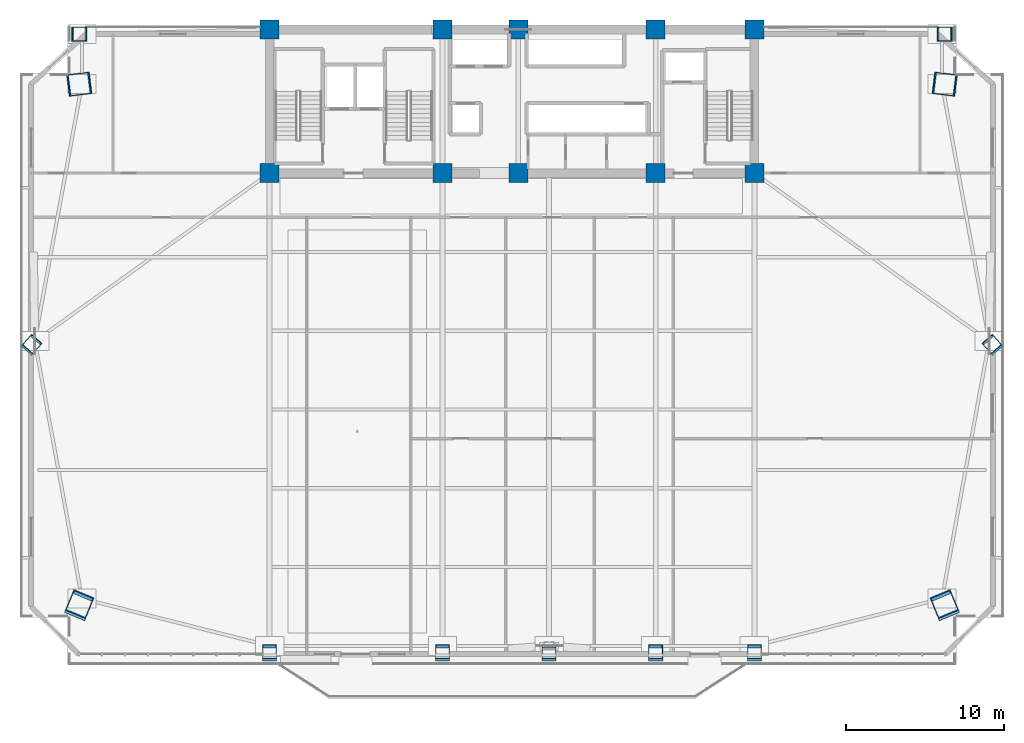
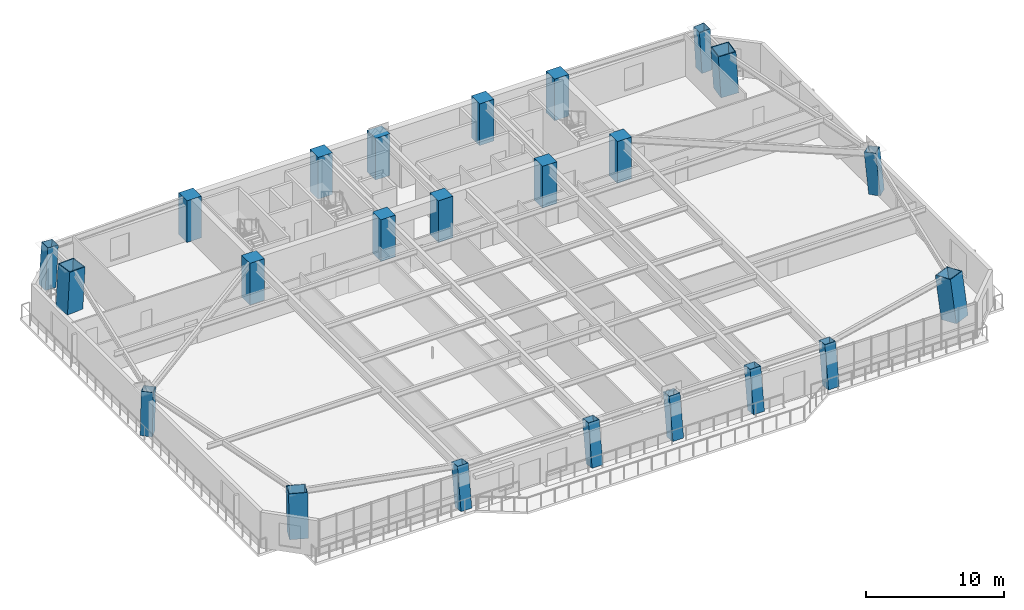
# One storey, part 1 of 15: 23 columns.
"""IFC4 building model written with IfcOpenShell, lengths in metres."""

from ifc_helpers import new_model, si_unit, direction, frame, origin, origin_2d, place, context, subcontext, project, spatial, rectangle, hollow_rectangle, extrude, source, transform, mapped, material, material_profile, profile_set, type_object, element, save


model = new_model("IFC4")

# Units and contexts
model_context = context("Model", 3, precision=1e-05, world=origin(), true_north=direction((0.0, 1.0)))
body_context = subcontext(model_context, "Body", "Model", "MODEL_VIEW")
ifc_project = project(units=[si_unit("LENGTHUNIT", "METRE"), si_unit("AREAUNIT", "SQUARE_METRE"), si_unit("VOLUMEUNIT", "CUBIC_METRE"), si_unit("PLANEANGLEUNIT", "RADIAN"), si_unit("MASSUNIT", "GRAM", prefix="KILO")], contexts=[model_context])

# Site, building, storey
site_placement = place(None, origin())
site = spatial("IfcSite", under=ifc_project, at=site_placement, CompositionType="ELEMENT")
building_placement = place(site_placement, origin())
building = spatial("IfcBuilding", under=site, at=building_placement, Name="Giltprow Tower", CompositionType="ELEMENT")
storey_placement = place(building_placement, frame((0.0, 0.0, 119.199951171875)))
storey = spatial("IfcBuildingStorey", under=building, at=storey_placement, Name="L29", CompositionType="ELEMENT", Elevation=119.199951171875)

# Columns
ifc_material_1 = material(Name="Concrete C60", Category="concrete")
ifc_material_profile_1 = material_profile(ifc_material_1, rectangle(XDim=1.199951171875, YDim=1.199951171875, at=origin_2d()), Name="RC 1200x1200")
ifc_profile_set_1 = profile_set([ifc_material_profile_1], Name="Concrete C60")
column_type_1 = type_object("IfcColumnType", Name="PIL-RC-1200-C60", PredefinedType="PILASTER", material=ifc_profile_set_1)
shared_shape_1 = source(origin(), body_context, "Body", "SweptSolid", [
    extrude(rectangle(XDim=1.199951171875, YDim=1.199951171875, at=origin_2d()), origin(), (0.0, 0.0, 1.0), 3.679931640625),
])
for number, where, z_axis, x_axis, name in (
    (1, (19.85009765625, 37.449951171875, 0.0), (0.0, 0.0, 1.0), (1.0, 0.0, 0.0), "L29 Core Boundary Pilaster 1-1"),
    (2, (19.85009765625, 46.550048828125, 0.0), (0.0, 0.0, 1.0), (1.0, 0.0, 0.0), "L29 Core Boundary Pilaster 1-2"),
    (3, (30.800048828125, 37.449951171875, 0.0), (0.0, 0.0, 1.0), (1.0, 0.0, 0.0), "L29 Core Boundary Pilaster 2-1"),
    (4, (30.800048828125, 46.550048828125, 0.0), (0.0, 0.0, 1.0), (1.0, 0.0, 0.0), "L29 Core Boundary Pilaster 2-2"),
    (5, (35.60009765625, 37.449951171875, 0.0), (0.0, 0.0, 1.0), (1.0, 0.0, 0.0), "L29 Core Boundary Pilaster 3-1"),
    (6, (35.60009765625, 46.550048828125, 0.0), (0.0, 0.0, 1.0), (1.0, 0.0, 0.0), "L29 Core Boundary Pilaster 3-2"),
    (7, (44.300048828125, 37.449951171875, 0.0), (0.0, 0.0, 1.0), (1.0, 0.0, 0.0), "L29 Core Boundary Pilaster 4-1"),
    (8, (44.300048828125, 46.550048828125, 0.0), (0.0, 0.0, 1.0), (1.0, 0.0, 0.0), "L29 Core Boundary Pilaster 4-2"),
    (9, (50.550048828125, 37.449951171875, 0.0), (0.0, 0.0, 1.0), (1.0, 0.0, 0.0), "L29 Core Boundary Pilaster 5-1"),
    (10, (50.550048828125, 46.550048828125, 0.0), (0.0, 0.0, 1.0), (1.0, 0.0, 0.0), "L29 Core Boundary Pilaster 5-2"),
):
    element("IfcColumn", number, at=place(storey_placement, frame(where, z_axis=z_axis, x_axis=x_axis)), inside=storey, type_object=column_type_1, Name=name, PredefinedType="PILASTER", context=body_context, shape_type="MappedRepresentation", body=[
        mapped(shared_shape_1, transform((0.0, 0.0, 0.0), x_axis=(1.0, 0.0, 0.0), y_axis=(0.0, 1.0, 0.0), z_axis=(0.0, 0.0, 1.0), scale=1.0)),
    ])
ifc_material_2 = material(Name="Structural steel Q420GJC", Category="steel")
ifc_material_profile_2 = material_profile(ifc_material_2, hollow_rectangle(XDim=1.39990234375, YDim=1.39990234375, WallThickness=0.06494140625, at=origin_2d()), Name="BOX 1400x1400x65")
ifc_profile_set_2 = profile_set([ifc_material_profile_2], Name="Structural steel Q420GJC")
column_type_2 = type_object("IfcColumnType", Name="COL-BOX-1400x1400x65", PredefinedType="COLUMN", material=ifc_profile_set_2)
shared_shape_2 = source(origin(), body_context, "Body", "SweptSolid", [
    extrude(hollow_rectangle(XDim=1.39990234375, YDim=1.39990234375, WallThickness=0.06494140625, at=origin_2d()), origin(), (0.0, 0.0, 1.0), 3.719970703125),
])
for number, where, z_axis, x_axis, name in (
    (11, (7.760986328125, 10.007080078125, 0.0), (0.056180364921, 0.134937885839, 0.989260093991), (-0.923183164535, 0.384360305857, 0.0), "L29 Mega-Column MC_SW"),
    (12, (62.638916015625, 10.007080078125, 0.0), (-0.056180364921, 0.134937885839, 0.989260093991), (-0.923183164535, -0.384360305857, 0.0), "L29 Mega-Column MC_SE"),
):
    element("IfcColumn", number, at=place(storey_placement, frame(where, z_axis=z_axis, x_axis=x_axis)), inside=storey, type_object=column_type_2, Name=name, PredefinedType="COLUMN", context=body_context, shape_type="MappedRepresentation", body=[
        mapped(shared_shape_2, transform((0.0, 0.0, 0.0), x_axis=(1.0, 0.0, 0.0), y_axis=(0.0, 1.0, 0.0), z_axis=(0.0, 0.0, 1.0), scale=1.0)),
    ])
shared_shape_3 = source(origin(), body_context, "Body", "SweptSolid", [
    extrude(hollow_rectangle(XDim=1.39990234375, YDim=1.39990234375, WallThickness=0.06494140625, at=origin_2d()), origin(), (0.0, 0.0, 1.0), 3.68603515625),
])
for number, where, z_axis, x_axis, name in (
    (13, (7.760986328125, 43.0830078125, 0.0), (0.056697532498, 0.007020956127, 0.998366714181), (-0.122893119903, 0.992419911671, 0.0), "L29 Mega-Column MC_NW"),
    (14, (62.638916015625, 43.0830078125, 0.0), (-0.056697532498, 0.007020956127, 0.998366714181), (-0.122893119903, -0.992419911671, 0.0), "L29 Mega-Column MC_NE"),
):
    element("IfcColumn", number, at=place(storey_placement, frame(where, z_axis=z_axis, x_axis=x_axis)), inside=storey, type_object=column_type_2, Name=name, PredefinedType="COLUMN", context=body_context, shape_type="MappedRepresentation", body=[
        mapped(shared_shape_3, transform((0.0, 0.0, 0.0), x_axis=(1.0, 0.0, 0.0), y_axis=(0.0, 1.0, 0.0), z_axis=(0.0, 0.0, 1.0), scale=1.0)),
    ])
ifc_material_profile_3 = material_profile(ifc_material_2, hollow_rectangle(XDim=0.89990234375, YDim=0.89990234375, WallThickness=0.0400390625, at=origin_2d()), Name="BOX 900x900x40")
ifc_profile_set_3 = profile_set([ifc_material_profile_3], Name="Structural steel Q420GJC")
column_type_3 = type_object("IfcColumnType", Name="COL-BOX-900x900x40", PredefinedType="COLUMN", material=ifc_profile_set_3)
shared_shape_4 = source(origin(), body_context, "Body", "SweptSolid", [
    extrude(hollow_rectangle(XDim=0.89990234375, YDim=0.89990234375, WallThickness=0.0400390625, at=origin_2d()), origin(), (0.0, 0.0, 1.0), 3.717529296875),
])
for number, where, z_axis, x_axis, name in (
    (15, (19.85009765625, 6.989990234375, 0.0), (0.0, 0.142046516587, 0.989859983596), (-1.0, 0.0, 0.0), "L29 Perimeter Column S1"),
    (16, (30.800048828125, 6.989990234375, 0.0), (0.0, 0.142046516587, 0.989859983596), (-1.0, 0.0, 0.0), "L29 Perimeter Column S2"),
    (17, (37.550048828125, 6.989990234375, 0.0), (0.0, 0.142046516587, 0.989859983596), (-1.0, 0.0, 0.0), "L29 Perimeter Column S_MID"),
    (18, (44.300048828125, 6.989990234375, 0.0), (0.0, 0.142046516587, 0.989859983596), (-1.0, 0.0, 0.0), "L29 Perimeter Column S3"),
    (19, (50.550048828125, 6.989990234375, 0.0), (0.0, 0.142046516587, 0.989859983596), (-1.0, 0.0, 0.0), "L29 Perimeter Column S4"),
):
    element("IfcColumn", number, at=place(storey_placement, frame(where, z_axis=z_axis, x_axis=x_axis)), inside=storey, type_object=column_type_3, Name=name, PredefinedType="COLUMN", context=body_context, shape_type="MappedRepresentation", body=[
        mapped(shared_shape_4, transform((0.0, 0.0, 0.0), x_axis=(1.0, 0.0, 0.0), y_axis=(0.0, 1.0, 0.0), z_axis=(0.0, 0.0, 1.0), scale=1.0)),
    ])
shared_shape_5 = source(origin(), body_context, "Body", "SweptSolid", [
    extrude(hollow_rectangle(XDim=0.89990234375, YDim=0.89990234375, WallThickness=0.0400390625, at=origin_2d()), origin(), (0.0, 0.0, 1.0), 3.69677734375),
])
for number, where, z_axis, x_axis, name in (
    (20, (4.743896484375, 26.544921875, 0.0), (0.063596100828, 0.07145480903, 0.995414359062), (-0.746990181356, 0.664835068989, 0.0), "L29 Perimeter Column W_MID"),
    (21, (65.656005859375, 26.544921875, 0.0), (-0.063596100828, 0.07145480903, 0.995414359062), (-0.746990181356, -0.664835068989, 0.0), "L29 Perimeter Column E_MID"),
):
    element("IfcColumn", number, at=place(storey_placement, frame(where, z_axis=z_axis, x_axis=x_axis)), inside=storey, type_object=column_type_3, Name=name, PredefinedType="COLUMN", context=body_context, shape_type="MappedRepresentation", body=[
        mapped(shared_shape_5, transform((0.0, 0.0, 0.0), x_axis=(1.0, 0.0, 0.0), y_axis=(0.0, 1.0, 0.0), z_axis=(0.0, 0.0, 1.0), scale=1.0)),
    ])
shared_shape_6 = source(origin(), body_context, "Body", "SweptSolid", [
    extrude(hollow_rectangle(XDim=0.89990234375, YDim=0.89990234375, WallThickness=0.0400390625, at=origin_2d()), origin(), (0.0, 0.0, 1.0), 3.685791015625),
])
for number, where, z_axis, x_axis, name in (
    (22, (7.760986328125, 46.25, 0.0), (0.056698929969, 0.0, 0.998391321747), (0.0, 1.0, 0.0), "L29 Perimeter Column N_W"),
    (23, (62.638916015625, 46.25, 0.0), (-0.056698929969, 0.0, 0.998391321747), (0.0, -1.0, 0.0), "L29 Perimeter Column N_E"),
):
    element("IfcColumn", number, at=place(storey_placement, frame(where, z_axis=z_axis, x_axis=x_axis)), inside=storey, type_object=column_type_3, Name=name, PredefinedType="COLUMN", context=body_context, shape_type="MappedRepresentation", body=[
        mapped(shared_shape_6, transform((0.0, 0.0, 0.0), x_axis=(1.0, 0.0, 0.0), y_axis=(0.0, 1.0, 0.0), z_axis=(0.0, 0.0, 1.0), scale=1.0)),
    ])

save(model, "model.ifc")
